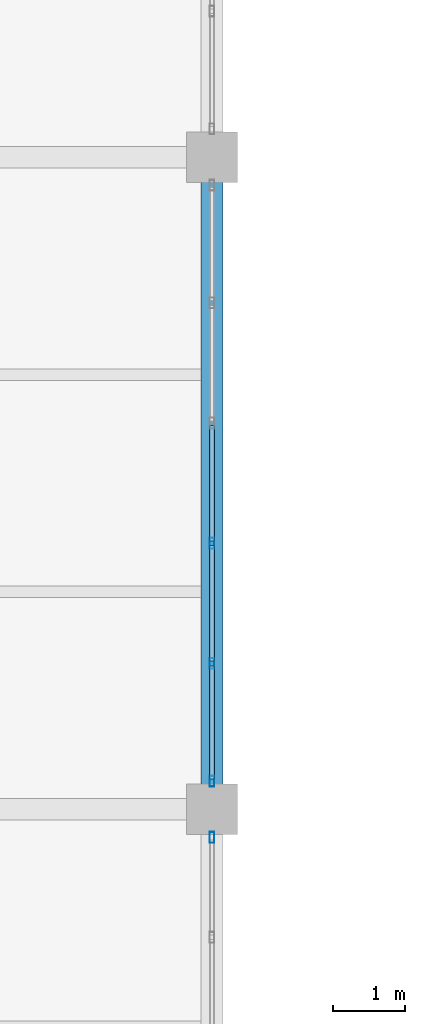
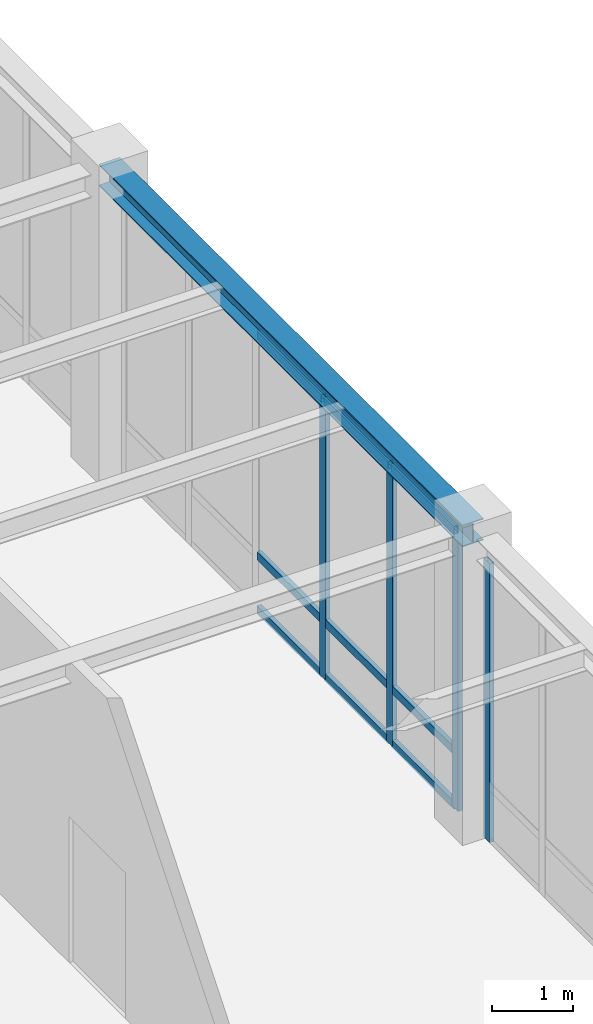
# One storey, part 17 of 98: 13 members, 1 beam, 2 elements without a shape of their own.
"""IFC4 building model written with IfcOpenShell, lengths in metres."""

import ifcopenshell
import ifcopenshell.guid

model = None  # the IFC model being written
_history = None  # IfcOwnerHistory: only IFC2X3 demands one
_inside = {}  # id of a spatial element -> (the spatial element, [elements in it])
_under = {}  # id of a project, library or spatial element -> (it, [spatial elements below it])
_declared = {}  # id of a project -> (the project, [libraries it declares])
_typed = {}  # id of a type object -> (the type object, [elements of that type])
_made_of = {}  # id of a material, layer set ... -> (it, [elements and type objects made of it])


def new_model(schema):
    """Start an empty IFC model of exactly this schema.

    Asked for "IFC4X3", IfcOpenShell would pick the latest addendum, in which some entities
    have other attributes; the version numbers below select the first issue.
    IFC2X3 requires an IfcOwnerHistory on every rooted entity: one is made here for all.
    """
    global model, _history
    if schema == "IFC4X3":
        model = ifcopenshell.file(schema_version=(4, 3, 0, 0))
    else:
        model = ifcopenshell.file(schema=schema)
    _inside.clear()
    _under.clear()
    _declared.clear()
    _typed.clear()
    _made_of.clear()
    _history = None
    if model.schema == "IFC2X3":
        org = make("IfcOrganization", Name="unknown")
        user = make(
            "IfcPersonAndOrganization",
            ThePerson=make("IfcPerson", FamilyName="unknown"),
            TheOrganization=org,
        )
        app = make(
            "IfcApplication",
            ApplicationDeveloper=org,
            Version="unknown",
            ApplicationFullName="unknown",
            ApplicationIdentifier="unknown",
        )
        _history = make(
            "IfcOwnerHistory",
            OwningUser=user,
            OwningApplication=app,
            ChangeAction="ADDED",
            CreationDate=0,
        )
    return model


def make(cls, **values):
    """One entity of the class cls with the attributes given. An attribute that is None is left unset."""
    return model.create_entity(
        cls, **{name: value for name, value in values.items() if value is not None}
    )


def rooted(cls, **values):
    """An entity with a GlobalId (a new one), such as an element, a storey or a relation."""
    return make(cls, GlobalId=ifcopenshell.guid.new(), OwnerHistory=_history, **values)


def si_unit(unit_type, name, prefix=None):
    """IfcSIUnit, for example si_unit("LENGTHUNIT", "METRE", prefix="MILLI")."""
    return make("IfcSIUnit", UnitType=unit_type, Prefix=prefix, Name=name)


def assignment(units):
    """IfcUnitAssignment: the units of a project."""
    return None if units is None else make("IfcUnitAssignment", Units=units)


def point(xyz):
    """IfcCartesianPoint."""
    return None if xyz is None else make("IfcCartesianPoint", Coordinates=xyz)


def direction(xyz):
    """IfcDirection."""
    return None if xyz is None else make("IfcDirection", DirectionRatios=xyz)


def frame(location, z_axis=None, x_axis=None):
    """IfcAxis2Placement3D, a coordinate frame: its origin and axes. An axis left out is left unset."""
    return make(
        "IfcAxis2Placement3D",
        Location=point(location),
        Axis=direction(z_axis),
        RefDirection=direction(x_axis),
    )


def frame_2d(location, x_axis=None):
    """IfcAxis2Placement2D, a coordinate frame in the plane: its origin and x axis."""
    return make(
        "IfcAxis2Placement2D", Location=point(location), RefDirection=direction(x_axis)
    )


def origin():
    """The frame at (0, 0, 0) with its axes left unset."""
    return frame((0.0, 0.0, 0.0))


def origin_2d():
    """The frame at (0, 0) in the plane with its x axis left unset."""
    return frame_2d((0.0, 0.0))


def place(relative_to, where):
    """IfcLocalPlacement: puts the frame where relative to a parent placement (None: the world)."""
    return make(
        "IfcLocalPlacement", PlacementRelTo=relative_to, RelativePlacement=where
    )


def context(
    kind, dimensions, precision=None, world=None, true_north=None, identifier=None
):
    """IfcGeometricRepresentationContext, for example the 3D "Model" context."""
    return make(
        "IfcGeometricRepresentationContext",
        ContextIdentifier=identifier,
        ContextType=kind,
        CoordinateSpaceDimension=dimensions,
        Precision=precision,
        WorldCoordinateSystem=world,
        TrueNorth=true_north,
    )


def subcontext(parent, identifier, kind, view, scale=None):
    """IfcGeometricRepresentationSubContext, for example "Body" below "Model"."""
    return make(
        "IfcGeometricRepresentationSubContext",
        ContextIdentifier=identifier,
        ContextType=kind,
        ParentContext=parent,
        TargetScale=scale,
        TargetView=view,
    )


def project(units=None, contexts=None):
    """IfcProject with its units and contexts."""
    return rooted(
        "IfcProject",
        Name="project",
        RepresentationContexts=contexts,
        UnitsInContext=assignment(units),
    )


def spatial(cls, under=None, at=None, **own):
    """A site, building, storey or space (cls), placed at a placement, below another one or the project."""
    s = rooted(cls, ObjectPlacement=at, **own)
    if under is not None:
        _under.setdefault(under.id(), (under, []))[1].append(s)
    return s


def profile(cls, at=None, kind="AREA", **sizes):
    """A parametric profile (cls). Its sizes go by their IFC names, for example OverallWidth=200.0."""
    return make(cls, ProfileType=kind, Position=at, **sizes)


def hollow_rectangle(**sizes):
    """IfcRectangleHollowProfileDef."""
    return profile("IfcRectangleHollowProfileDef", **sizes)


def i_section(**sizes):
    """IfcIShapeProfileDef."""
    return profile("IfcIShapeProfileDef", **sizes)


def extrude(swept, where, along, depth):
    """IfcExtrudedAreaSolid: the profile swept, set in the frame where, extruded along a direction by depth."""
    return make(
        "IfcExtrudedAreaSolid",
        SweptArea=swept,
        Position=where,
        ExtrudedDirection=direction(along),
        Depth=depth,
    )


def shape(context_of_items, identifier, shape_type, items):
    """IfcShapeRepresentation: the items that make up one representation, for example the "Body"."""
    return make(
        "IfcShapeRepresentation",
        ContextOfItems=context_of_items,
        RepresentationIdentifier=identifier,
        RepresentationType=shape_type,
        Items=items,
    )


def material(Name=None, Category=None):
    """IfcMaterial."""
    return make("IfcMaterial", Name=Name, Category=Category)


def material_profile(
    of_material, cross_section, Name=None, Category=None, Priority=None
):
    """IfcMaterialProfile: a cross section and its material."""
    return make(
        "IfcMaterialProfile",
        Name=Name,
        Material=of_material,
        Profile=cross_section,
        Priority=Priority,
        Category=Category,
    )


def profile_set(profiles, Name=None, composite=None):
    """IfcMaterialProfileSet."""
    return make(
        "IfcMaterialProfileSet",
        Name=Name,
        MaterialProfiles=profiles,
        CompositeProfile=composite,
    )


def made_of(thing, what):
    """Note that an element or type object is made of a material, layer set ...; save() writes the relation."""
    if what is not None:
        _made_of.setdefault(what.id(), (what, []))[1].append(thing)
    return thing


def type_object(cls, material=None, **own):
    """A type object (cls), such as IfcWallType, which elements share."""
    return made_of(rooted(cls, **own), material)


def element(
    cls,
    number,
    at=None,
    inside=None,
    cuts=None,
    type_object=None,
    material=None,
    context=None,
    identifier="Body",
    shape_type=None,
    held_by="IfcProductDefinitionShape",
    body=None,
    shapes=None,
    **own,
):
    """One element of the class cls, such as IfcWall. Its Tag is "e" and its number.

    at: its placement. inside: the storey or other place that contains it. cuts: it is an
    opening in that element (IfcRelVoidsElement). A single representation is given by context,
    identifier, shape_type and body (its items); several are given by shapes. held_by: the class
    of the entity that holds the representations. save() writes the other relations.
    """
    e = rooted(cls, Tag="e%d" % number, ObjectPlacement=at, **own)
    if body is not None:
        shapes = [shape(context, identifier, shape_type, body)]
    if shapes is not None:
        e.Representation = make(held_by, Representations=shapes)
    if inside is not None:
        _inside.setdefault(inside.id(), (inside, []))[1].append(e)
    if cuts is not None:
        rooted(
            "IfcRelVoidsElement", RelatingBuildingElement=cuts, RelatedOpeningElement=e
        )
    if type_object is not None:
        _typed.setdefault(type_object.id(), (type_object, []))[1].append(e)
    return made_of(e, material)


def aggregate(whole, parts):
    """IfcRelAggregates: a whole, such as a stair, and the parts it consists of."""
    return rooted("IfcRelAggregates", RelatingObject=whole, RelatedObjects=parts)


def save(model, path):
    """Write the relations noted so far, then the file.

    IfcRelAggregates (storeys below a building ...), IfcRelContainedInSpatialStructure (elements
    in a storey), IfcRelDefinesByType, IfcRelAssociatesMaterial and IfcRelDeclares: one each for
    every whole, place, type object, material and project.
    """
    for whole, parts in _under.values():
        aggregate(whole, parts)
    for where, things in _inside.values():
        rooted(
            "IfcRelContainedInSpatialStructure",
            RelatedElements=things,
            RelatingStructure=where,
        )
    for kind, things in _typed.values():
        rooted("IfcRelDefinesByType", RelatedObjects=things, RelatingType=kind)
    for what, things in _made_of.values():
        rooted("IfcRelAssociatesMaterial", RelatedObjects=things, RelatingMaterial=what)
    for by, libraries in _declared.values():
        rooted("IfcRelDeclares", RelatingContext=by, RelatedDefinitions=libraries)
    model.write(path)


model = new_model("IFC4")

# Units and contexts
model_context = context("Model", 3, precision=1e-05, world=origin(), true_north=direction((0.0, 1.0)))
body_context = subcontext(model_context, "Body", "Model", "MODEL_VIEW")
ifc_project = project(units=[si_unit("LENGTHUNIT", "METRE"), si_unit("AREAUNIT", "SQUARE_METRE"), si_unit("VOLUMEUNIT", "CUBIC_METRE"), si_unit("PLANEANGLEUNIT", "RADIAN"), si_unit("MASSUNIT", "GRAM", prefix="KILO")], contexts=[model_context])

# Site, building, storey
site_placement = place(None, origin())
site = spatial("IfcSite", under=ifc_project, at=site_placement, CompositionType="ELEMENT")
building_placement = place(site_placement, origin())
building = spatial("IfcBuilding", under=site, at=building_placement, Name="Lykobir Media Centre", CompositionType="ELEMENT")
storey_placement = place(building_placement, frame((0.0, 0.0, 10.199951171875)))
storey = spatial("IfcBuildingStorey", under=building, at=storey_placement, Name="L02", CompositionType="ELEMENT", Elevation=10.199951171875)

# Beam
ifc_material_1 = material(Name="Steel S355", Category="steel")
ifc_material_profile_1 = material_profile(ifc_material_1, i_section(OverallWidth=0.300048828125, OverallDepth=0.330078125, WebThickness=0.009521484375, FlangeThickness=0.0166015625, at=origin_2d()), Name="HEA 340")
ifc_profile_set_1 = profile_set([ifc_material_profile_1], Name="Steel S355")
beam_type = type_object("IfcBeamType", Name="BM-HEA340", PredefinedType="BEAM", material=ifc_profile_set_1)
beam_placement = place(storey_placement, frame((36.0, 27.0, 4.39501953125), z_axis=(0.0, 1.0, 0.0), x_axis=(-1.0, 0.0, 0.0)))
element("IfcBeam", 1, at=beam_placement, inside=storey, type_object=beam_type, Name="Beam BM-L02-0360-0270-0360-0360-1460", PredefinedType="BEAM", context=body_context, shape_type="SweptSolid", body=[
    extrude(i_section(OverallWidth=0.300048828125, OverallDepth=0.330078125, WebThickness=0.009521484375, FlangeThickness=0.0166015625, at=origin_2d()), origin(), (0.0, 0.0, 1.0), 9.0),
])

# Curtain wall, member
ifc_material_2 = material(Name="Anodized Aluminium AW-6060", Category="aluminium")
curtain_wall_type = type_object("IfcCurtainWallType", Name="CW-COURT-A", PredefinedType="NOTDEFINED", material=ifc_material_2)
curtain_wall_1_placement = place(storey_placement, origin())
curtain_wall_1 = element("IfcCurtainWall", 2, at=curtain_wall_1_placement, inside=storey, type_object=curtain_wall_type, Name="Curtain wall CW2-L02-0077", PredefinedType="NOTDEFINED")
ifc_material_profile_2 = material_profile(ifc_material_2, hollow_rectangle(XDim=0.06494140625, YDim=0.14990234375, WallThickness=0.00341796875, at=origin_2d()), Name="ALU MULLION 65x150")
ifc_profile_set_2 = profile_set([ifc_material_profile_2], Name="Anodized Aluminium AW-6060")
member_type_1 = type_object("IfcMemberType", Name="CWM-150", PredefinedType="MULLION", material=ifc_profile_set_2)
member_1_placement = place(storey_placement, frame((36.0, 26.612548828125, 0.0), z_axis=(0.0, 0.0, 1.0), x_axis=(1.0, 0.0, 0.0)))
member_1 = element("IfcMember", 3, at=member_1_placement, type_object=member_type_1, Name="CW2-L02-0077 mullion 1", PredefinedType="MULLION", context=body_context, shape_type="SweptSolid", body=[
    extrude(hollow_rectangle(XDim=0.06494140625, YDim=0.14990234375, WallThickness=0.00341796875, at=origin_2d()), origin(), (0.0, 0.0, 1.0), 4.215087890625),
])
aggregate(curtain_wall_1, [member_1])

# Curtain wall, members
curtain_wall_2_placement = place(storey_placement, origin())
curtain_wall_2 = element("IfcCurtainWall", 4, at=curtain_wall_2_placement, inside=storey, type_object=curtain_wall_type, Name="Curtain wall CW2-L02-0078", PredefinedType="NOTDEFINED")
member_2_placement = place(storey_placement, frame((36.0, 30.6708984375, 0.0), z_axis=(0.0, 0.0, 1.0), x_axis=(1.0, 0.0, 0.0)))
member_2 = element("IfcMember", 5, at=member_2_placement, type_object=member_type_1, Name="CW2-L02-0078 mullion 4", PredefinedType="MULLION", context=body_context, shape_type="SweptSolid", body=[
    extrude(hollow_rectangle(XDim=0.06494140625, YDim=0.14990234375, WallThickness=0.00341796875, at=origin_2d()), origin(), (0.0, 0.0, 1.0), 4.215087890625),
])
member_3_placement = place(storey_placement, frame((36.0, 29.012939453125, 0.0), z_axis=(0.0, 0.0, 1.0), x_axis=(1.0, 0.0, 0.0)))
member_3 = element("IfcMember", 6, at=member_3_placement, type_object=member_type_1, Name="CW2-L02-0078 mullion 5", PredefinedType="MULLION", context=body_context, shape_type="SweptSolid", body=[
    extrude(hollow_rectangle(XDim=0.06494140625, YDim=0.14990234375, WallThickness=0.00341796875, at=origin_2d()), origin(), (0.0, 0.0, 1.0), 4.215087890625),
])
member_4_placement = place(storey_placement, frame((36.0, 27.387451171875, 0.0), z_axis=(0.0, 0.0, 1.0), x_axis=(1.0, 0.0, 0.0)))
member_4 = element("IfcMember", 7, at=member_4_placement, type_object=member_type_1, Name="CW2-L02-0078 mullion 6", PredefinedType="MULLION", context=body_context, shape_type="SweptSolid", body=[
    extrude(hollow_rectangle(XDim=0.06494140625, YDim=0.14990234375, WallThickness=0.00341796875, at=origin_2d()), origin(), (0.0, 0.0, 1.0), 4.215087890625),
])
ifc_material_profile_3 = material_profile(ifc_material_2, hollow_rectangle(XDim=0.06494140625, YDim=0.1201171875, WallThickness=0.0029296875, at=origin_2d()), Name="ALU TRANSOM 65x120")
ifc_profile_set_3 = profile_set([ifc_material_profile_3], Name="Anodized Aluminium AW-6060")
member_type_2 = type_object("IfcMemberType", Name="CWT-120", PredefinedType="USERDEFINED", material=ifc_profile_set_3)
member_5_placement = place(storey_placement, frame((36.0, 32.29638671875, 0.032470703125), z_axis=(0.0, -1.0, 0.0), x_axis=(1.0, 0.0, 0.0)))
member_5 = element("IfcMember", 8, at=member_5_placement, type_object=member_type_2, Name="CW2-L02-0078 transom 3.1", ObjectType="TRANSOM", PredefinedType="USERDEFINED", context=body_context, shape_type="SweptSolid", body=[
    extrude(hollow_rectangle(XDim=0.06494140625, YDim=0.1201171875, WallThickness=0.0029296875, at=origin_2d()), origin(), (0.0, 0.0, 1.0), 1.5927734375),
])
member_6_placement = place(storey_placement, frame((36.0, 32.29638671875, 0.85009765625), z_axis=(0.0, -1.0, 0.0), x_axis=(1.0, 0.0, 0.0)))
member_6 = element("IfcMember", 9, at=member_6_placement, type_object=member_type_2, Name="CW2-L02-0078 transom 3.2", ObjectType="TRANSOM", PredefinedType="USERDEFINED", context=body_context, shape_type="SweptSolid", body=[
    extrude(hollow_rectangle(XDim=0.06494140625, YDim=0.1201171875, WallThickness=0.0029296875, at=origin_2d()), origin(), (0.0, 0.0, 1.0), 1.5927734375),
])
member_7_placement = place(storey_placement, frame((36.0, 32.29638671875, 4.1826171875), z_axis=(0.0, -1.0, 0.0), x_axis=(1.0, 0.0, 0.0)))
member_7 = element("IfcMember", 10, at=member_7_placement, type_object=member_type_2, Name="CW2-L02-0078 transom 3.3", ObjectType="TRANSOM", PredefinedType="USERDEFINED", context=body_context, shape_type="SweptSolid", body=[
    extrude(hollow_rectangle(XDim=0.06494140625, YDim=0.1201171875, WallThickness=0.0029296875, at=origin_2d()), origin(), (0.0, 0.0, 1.0), 1.5927734375),
])
member_8_placement = place(storey_placement, frame((36.0, 30.638427734375, 0.032470703125), z_axis=(0.0, -1.0, 0.0), x_axis=(1.0, 0.0, 0.0)))
member_8 = element("IfcMember", 11, at=member_8_placement, type_object=member_type_2, Name="CW2-L02-0078 transom 4.1", ObjectType="TRANSOM", PredefinedType="USERDEFINED", context=body_context, shape_type="SweptSolid", body=[
    extrude(hollow_rectangle(XDim=0.06494140625, YDim=0.1201171875, WallThickness=0.0029296875, at=origin_2d()), origin(), (0.0, 0.0, 1.0), 1.593017578125),
])
member_9_placement = place(storey_placement, frame((36.0, 30.638427734375, 0.85009765625), z_axis=(0.0, -1.0, 0.0), x_axis=(1.0, 0.0, 0.0)))
member_9 = element("IfcMember", 12, at=member_9_placement, type_object=member_type_2, Name="CW2-L02-0078 transom 4.2", ObjectType="TRANSOM", PredefinedType="USERDEFINED", context=body_context, shape_type="SweptSolid", body=[
    extrude(hollow_rectangle(XDim=0.06494140625, YDim=0.1201171875, WallThickness=0.0029296875, at=origin_2d()), origin(), (0.0, 0.0, 1.0), 1.593017578125),
])
member_10_placement = place(storey_placement, frame((36.0, 30.638427734375, 4.1826171875), z_axis=(0.0, -1.0, 0.0), x_axis=(1.0, 0.0, 0.0)))
member_10 = element("IfcMember", 13, at=member_10_placement, type_object=member_type_2, Name="CW2-L02-0078 transom 4.3", ObjectType="TRANSOM", PredefinedType="USERDEFINED", context=body_context, shape_type="SweptSolid", body=[
    extrude(hollow_rectangle(XDim=0.06494140625, YDim=0.1201171875, WallThickness=0.0029296875, at=origin_2d()), origin(), (0.0, 0.0, 1.0), 1.593017578125),
])
member_11_placement = place(storey_placement, frame((36.0, 28.98046875, 0.032470703125), z_axis=(0.0, -1.0, 0.0), x_axis=(1.0, 0.0, 0.0)))
member_11 = element("IfcMember", 14, at=member_11_placement, type_object=member_type_2, Name="CW2-L02-0078 transom 5.1", ObjectType="TRANSOM", PredefinedType="USERDEFINED", context=body_context, shape_type="SweptSolid", body=[
    extrude(hollow_rectangle(XDim=0.06494140625, YDim=0.1201171875, WallThickness=0.0029296875, at=origin_2d()), origin(), (0.0, 0.0, 1.0), 1.560546875),
])
member_12_placement = place(storey_placement, frame((36.0, 28.98046875, 0.85009765625), z_axis=(0.0, -1.0, 0.0), x_axis=(1.0, 0.0, 0.0)))
member_12 = element("IfcMember", 15, at=member_12_placement, type_object=member_type_2, Name="CW2-L02-0078 transom 5.2", ObjectType="TRANSOM", PredefinedType="USERDEFINED", context=body_context, shape_type="SweptSolid", body=[
    extrude(hollow_rectangle(XDim=0.06494140625, YDim=0.1201171875, WallThickness=0.0029296875, at=origin_2d()), origin(), (0.0, 0.0, 1.0), 1.560546875),
])
member_13_placement = place(storey_placement, frame((36.0, 28.98046875, 4.1826171875), z_axis=(0.0, -1.0, 0.0), x_axis=(1.0, 0.0, 0.0)))
member_13 = element("IfcMember", 16, at=member_13_placement, type_object=member_type_2, Name="CW2-L02-0078 transom 5.3", ObjectType="TRANSOM", PredefinedType="USERDEFINED", context=body_context, shape_type="SweptSolid", body=[
    extrude(hollow_rectangle(XDim=0.06494140625, YDim=0.1201171875, WallThickness=0.0029296875, at=origin_2d()), origin(), (0.0, 0.0, 1.0), 1.560546875),
])
aggregate(curtain_wall_2, [member_2, member_3, member_4, member_5, member_6, member_7, member_8, member_9, member_10, member_11, member_12, member_13])

save(model, "model.ifc")
